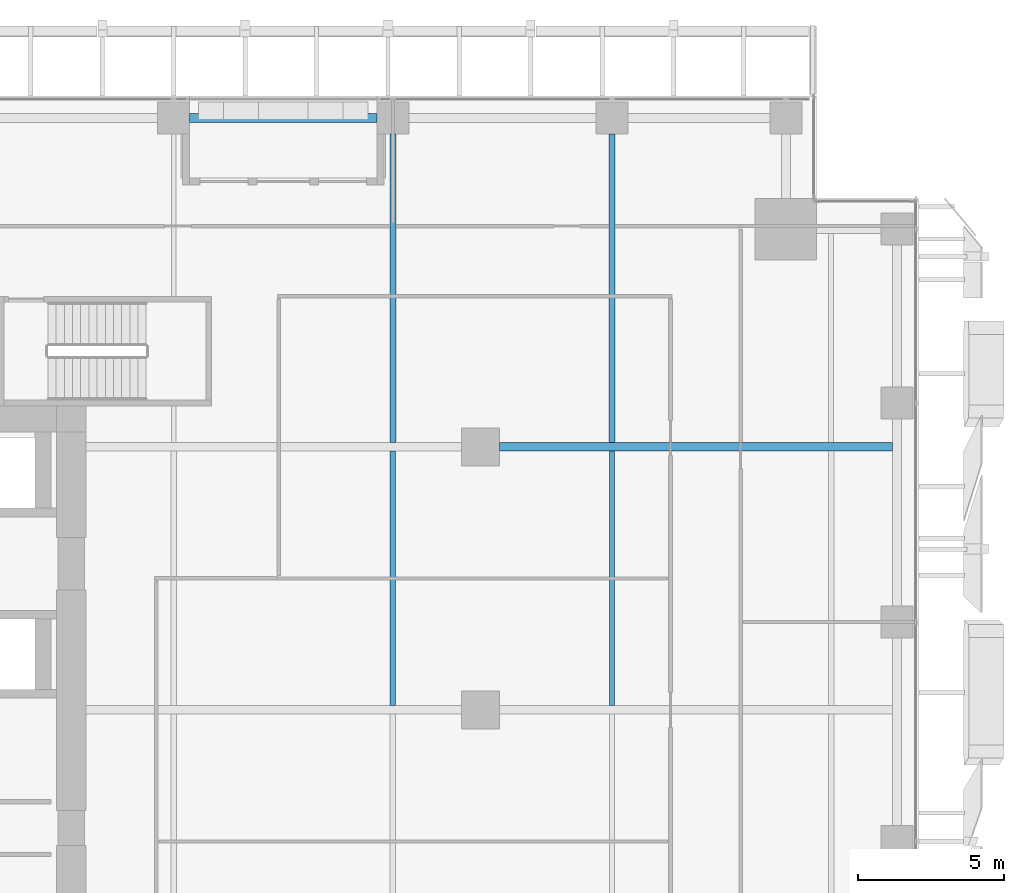
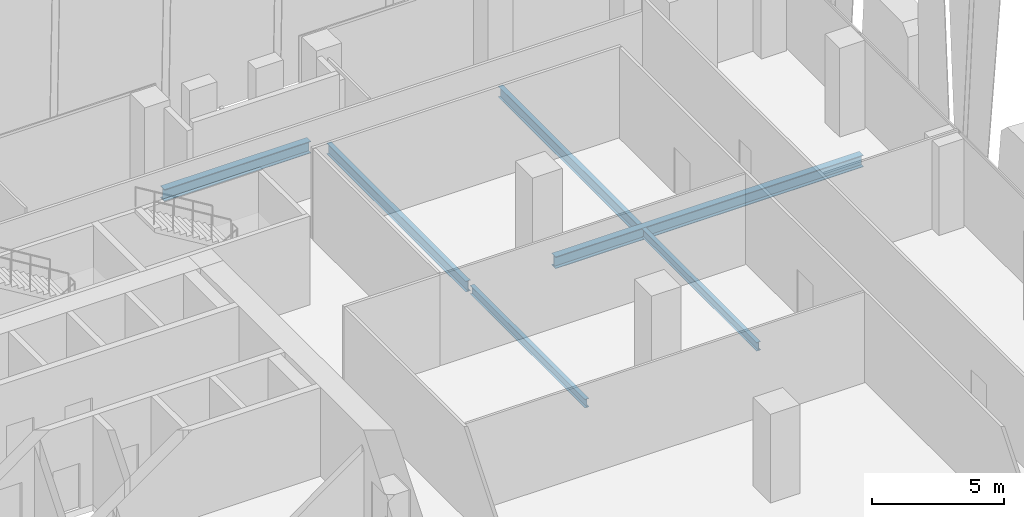
# One storey, part 16 of 34: 6 beams.
"""IFC4 building model written with IfcOpenShell, lengths in metres."""

import ifcopenshell
import ifcopenshell.guid

model = None  # the IFC model being written
_history = None  # IfcOwnerHistory: only IFC2X3 demands one
_inside = {}  # id of a spatial element -> (the spatial element, [elements in it])
_under = {}  # id of a project, library or spatial element -> (it, [spatial elements below it])
_declared = {}  # id of a project -> (the project, [libraries it declares])
_typed = {}  # id of a type object -> (the type object, [elements of that type])
_made_of = {}  # id of a material, layer set ... -> (it, [elements and type objects made of it])


def new_model(schema):
    """Start an empty IFC model of exactly this schema.

    Asked for "IFC4X3", IfcOpenShell would pick the latest addendum, in which some entities
    have other attributes; the version numbers below select the first issue.
    IFC2X3 requires an IfcOwnerHistory on every rooted entity: one is made here for all.
    """
    global model, _history
    if schema == "IFC4X3":
        model = ifcopenshell.file(schema_version=(4, 3, 0, 0))
    else:
        model = ifcopenshell.file(schema=schema)
    _inside.clear()
    _under.clear()
    _declared.clear()
    _typed.clear()
    _made_of.clear()
    _history = None
    if model.schema == "IFC2X3":
        org = make("IfcOrganization", Name="unknown")
        user = make(
            "IfcPersonAndOrganization",
            ThePerson=make("IfcPerson", FamilyName="unknown"),
            TheOrganization=org,
        )
        app = make(
            "IfcApplication",
            ApplicationDeveloper=org,
            Version="unknown",
            ApplicationFullName="unknown",
            ApplicationIdentifier="unknown",
        )
        _history = make(
            "IfcOwnerHistory",
            OwningUser=user,
            OwningApplication=app,
            ChangeAction="ADDED",
            CreationDate=0,
        )
    return model


def make(cls, **values):
    """One entity of the class cls with the attributes given. An attribute that is None is left unset."""
    return model.create_entity(
        cls, **{name: value for name, value in values.items() if value is not None}
    )


def rooted(cls, **values):
    """An entity with a GlobalId (a new one), such as an element, a storey or a relation."""
    return make(cls, GlobalId=ifcopenshell.guid.new(), OwnerHistory=_history, **values)


def si_unit(unit_type, name, prefix=None):
    """IfcSIUnit, for example si_unit("LENGTHUNIT", "METRE", prefix="MILLI")."""
    return make("IfcSIUnit", UnitType=unit_type, Prefix=prefix, Name=name)


def assignment(units):
    """IfcUnitAssignment: the units of a project."""
    return None if units is None else make("IfcUnitAssignment", Units=units)


def point(xyz):
    """IfcCartesianPoint."""
    return None if xyz is None else make("IfcCartesianPoint", Coordinates=xyz)


def direction(xyz):
    """IfcDirection."""
    return None if xyz is None else make("IfcDirection", DirectionRatios=xyz)


def frame(location, z_axis=None, x_axis=None):
    """IfcAxis2Placement3D, a coordinate frame: its origin and axes. An axis left out is left unset."""
    return make(
        "IfcAxis2Placement3D",
        Location=point(location),
        Axis=direction(z_axis),
        RefDirection=direction(x_axis),
    )


def frame_2d(location, x_axis=None):
    """IfcAxis2Placement2D, a coordinate frame in the plane: its origin and x axis."""
    return make(
        "IfcAxis2Placement2D", Location=point(location), RefDirection=direction(x_axis)
    )


def origin():
    """The frame at (0, 0, 0) with its axes left unset."""
    return frame((0.0, 0.0, 0.0))


def origin_2d():
    """The frame at (0, 0) in the plane with its x axis left unset."""
    return frame_2d((0.0, 0.0))


def place(relative_to, where):
    """IfcLocalPlacement: puts the frame where relative to a parent placement (None: the world)."""
    return make(
        "IfcLocalPlacement", PlacementRelTo=relative_to, RelativePlacement=where
    )


def context(
    kind, dimensions, precision=None, world=None, true_north=None, identifier=None
):
    """IfcGeometricRepresentationContext, for example the 3D "Model" context."""
    return make(
        "IfcGeometricRepresentationContext",
        ContextIdentifier=identifier,
        ContextType=kind,
        CoordinateSpaceDimension=dimensions,
        Precision=precision,
        WorldCoordinateSystem=world,
        TrueNorth=true_north,
    )


def subcontext(parent, identifier, kind, view, scale=None):
    """IfcGeometricRepresentationSubContext, for example "Body" below "Model"."""
    return make(
        "IfcGeometricRepresentationSubContext",
        ContextIdentifier=identifier,
        ContextType=kind,
        ParentContext=parent,
        TargetScale=scale,
        TargetView=view,
    )


def project(units=None, contexts=None):
    """IfcProject with its units and contexts."""
    return rooted(
        "IfcProject",
        Name="project",
        RepresentationContexts=contexts,
        UnitsInContext=assignment(units),
    )


def spatial(cls, under=None, at=None, **own):
    """A site, building, storey or space (cls), placed at a placement, below another one or the project."""
    s = rooted(cls, ObjectPlacement=at, **own)
    if under is not None:
        _under.setdefault(under.id(), (under, []))[1].append(s)
    return s


def profile(cls, at=None, kind="AREA", **sizes):
    """A parametric profile (cls). Its sizes go by their IFC names, for example OverallWidth=200.0."""
    return make(cls, ProfileType=kind, Position=at, **sizes)


def i_section(**sizes):
    """IfcIShapeProfileDef."""
    return profile("IfcIShapeProfileDef", **sizes)


def extrude(swept, where, along, depth):
    """IfcExtrudedAreaSolid: the profile swept, set in the frame where, extruded along a direction by depth."""
    return make(
        "IfcExtrudedAreaSolid",
        SweptArea=swept,
        Position=where,
        ExtrudedDirection=direction(along),
        Depth=depth,
    )


def shape(context_of_items, identifier, shape_type, items):
    """IfcShapeRepresentation: the items that make up one representation, for example the "Body"."""
    return make(
        "IfcShapeRepresentation",
        ContextOfItems=context_of_items,
        RepresentationIdentifier=identifier,
        RepresentationType=shape_type,
        Items=items,
    )


def source(mapping_origin, context_of_items, identifier, shape_type, items):
    """IfcRepresentationMap: a shape defined once, which mapped items show again and again."""
    return make(
        "IfcRepresentationMap",
        MappingOrigin=mapping_origin,
        MappedRepresentation=shape(context_of_items, identifier, shape_type, items),
    )


def transform(
    local_origin,
    x_axis=None,
    y_axis=None,
    z_axis=None,
    scale=None,
    scale2=None,
    scale3=None,
    uniform=True,
):
    """IfcCartesianTransformationOperator3D, or its non-uniform kind. x_axis, y_axis, z_axis: its Axis1, 2, 3."""
    if uniform:
        return make(
            "IfcCartesianTransformationOperator3D",
            Axis1=direction(x_axis),
            Axis2=direction(y_axis),
            LocalOrigin=point(local_origin),
            Scale=scale,
            Axis3=direction(z_axis),
        )
    return make(
        "IfcCartesianTransformationOperator3DnonUniform",
        Axis1=direction(x_axis),
        Axis2=direction(y_axis),
        LocalOrigin=point(local_origin),
        Scale=scale,
        Axis3=direction(z_axis),
        Scale2=scale2,
        Scale3=scale3,
    )


def mapped(mapping_source, mapping_target):
    """IfcMappedItem: shows the shape of a source again, moved by a transform."""
    return make(
        "IfcMappedItem", MappingSource=mapping_source, MappingTarget=mapping_target
    )


def material(Name=None, Category=None):
    """IfcMaterial."""
    return make("IfcMaterial", Name=Name, Category=Category)


def material_profile(
    of_material, cross_section, Name=None, Category=None, Priority=None
):
    """IfcMaterialProfile: a cross section and its material."""
    return make(
        "IfcMaterialProfile",
        Name=Name,
        Material=of_material,
        Profile=cross_section,
        Priority=Priority,
        Category=Category,
    )


def profile_set(profiles, Name=None, composite=None):
    """IfcMaterialProfileSet."""
    return make(
        "IfcMaterialProfileSet",
        Name=Name,
        MaterialProfiles=profiles,
        CompositeProfile=composite,
    )


def made_of(thing, what):
    """Note that an element or type object is made of a material, layer set ...; save() writes the relation."""
    if what is not None:
        _made_of.setdefault(what.id(), (what, []))[1].append(thing)
    return thing


def type_object(cls, material=None, **own):
    """A type object (cls), such as IfcWallType, which elements share."""
    return made_of(rooted(cls, **own), material)


def element(
    cls,
    number,
    at=None,
    inside=None,
    cuts=None,
    type_object=None,
    material=None,
    context=None,
    identifier="Body",
    shape_type=None,
    held_by="IfcProductDefinitionShape",
    body=None,
    shapes=None,
    **own,
):
    """One element of the class cls, such as IfcWall. Its Tag is "e" and its number.

    at: its placement. inside: the storey or other place that contains it. cuts: it is an
    opening in that element (IfcRelVoidsElement). A single representation is given by context,
    identifier, shape_type and body (its items); several are given by shapes. held_by: the class
    of the entity that holds the representations. save() writes the other relations.
    """
    e = rooted(cls, Tag="e%d" % number, ObjectPlacement=at, **own)
    if body is not None:
        shapes = [shape(context, identifier, shape_type, body)]
    if shapes is not None:
        e.Representation = make(held_by, Representations=shapes)
    if inside is not None:
        _inside.setdefault(inside.id(), (inside, []))[1].append(e)
    if cuts is not None:
        rooted(
            "IfcRelVoidsElement", RelatingBuildingElement=cuts, RelatedOpeningElement=e
        )
    if type_object is not None:
        _typed.setdefault(type_object.id(), (type_object, []))[1].append(e)
    return made_of(e, material)


def aggregate(whole, parts):
    """IfcRelAggregates: a whole, such as a stair, and the parts it consists of."""
    return rooted("IfcRelAggregates", RelatingObject=whole, RelatedObjects=parts)


def save(model, path):
    """Write the relations noted so far, then the file.

    IfcRelAggregates (storeys below a building ...), IfcRelContainedInSpatialStructure (elements
    in a storey), IfcRelDefinesByType, IfcRelAssociatesMaterial and IfcRelDeclares: one each for
    every whole, place, type object, material and project.
    """
    for whole, parts in _under.values():
        aggregate(whole, parts)
    for where, things in _inside.values():
        rooted(
            "IfcRelContainedInSpatialStructure",
            RelatedElements=things,
            RelatingStructure=where,
        )
    for kind, things in _typed.values():
        rooted("IfcRelDefinesByType", RelatedObjects=things, RelatingType=kind)
    for what, things in _made_of.values():
        rooted("IfcRelAssociatesMaterial", RelatedObjects=things, RelatingMaterial=what)
    for by, libraries in _declared.values():
        rooted("IfcRelDeclares", RelatingContext=by, RelatedDefinitions=libraries)
    model.write(path)


model = new_model("IFC4")

# Units and contexts
model_context = context("Model", 3, precision=1e-05, world=origin(), true_north=direction((0.0, 1.0)))
body_context = subcontext(model_context, "Body", "Model", "MODEL_VIEW")
ifc_project = project(units=[si_unit("LENGTHUNIT", "METRE"), si_unit("AREAUNIT", "SQUARE_METRE"), si_unit("VOLUMEUNIT", "CUBIC_METRE"), si_unit("PLANEANGLEUNIT", "RADIAN"), si_unit("MASSUNIT", "GRAM", prefix="KILO")], contexts=[model_context])

# Site, building, storey
site_placement = place(None, origin())
site = spatial("IfcSite", under=ifc_project, at=site_placement, CompositionType="ELEMENT")
building_placement = place(site_placement, origin())
building = spatial("IfcBuilding", under=site, at=building_placement, Name="Khomas Fold Tower", CompositionType="ELEMENT")
storey_placement = place(building_placement, frame((0.0, 0.0, 114.699951171875)))
storey = spatial("IfcBuildingStorey", under=building, at=storey_placement, Name="L24", CompositionType="ELEMENT", Elevation=114.699951171875)

# Beams
ifc_material_1 = material(Name="Steel S355", Category="steel")
ifc_material_profile_1 = material_profile(ifc_material_1, i_section(OverallWidth=0.179931640625, OverallDepth=0.39990234375, WebThickness=0.008544921875, FlangeThickness=0.013427734375, at=origin_2d()), Name="IPE 400")
ifc_profile_set_1 = profile_set([ifc_material_profile_1], Name="Steel S355")
beam_type_1 = type_object("IfcBeamType", Name="IPE 400 beam JB3", PredefinedType="BEAM", material=ifc_profile_set_1)
shared_shape_1 = source(origin(), body_context, "Body", "SweptSolid", [
    extrude(i_section(OverallWidth=0.179931640625, OverallDepth=0.39990234375, WebThickness=0.008544921875, FlangeThickness=0.013427734375, at=origin_2d()), origin(), (0.0, 0.0, 1.0), 8.7001953125),
])
for number, where, z_axis, x_axis, name in (
    (1, (34.5, 31.64990234375, -0.5), (0.0, 1.0, 0.0), (-1.0, 0.0, 0.0), "JB3"),
    (2, (42.0, 31.64990234375, -0.5), (0.0, 1.0, 0.0), (-1.0, 0.0, 0.0), "JB3"),
):
    element("IfcBeam", number, at=place(storey_placement, frame(where, z_axis=z_axis, x_axis=x_axis)), inside=storey, type_object=beam_type_1, Name=name, PredefinedType="BEAM", context=body_context, shape_type="MappedRepresentation", body=[
        mapped(shared_shape_1, transform((0.0, 0.0, 0.0))),
    ])
ifc_material_2 = material(Name="Steel S355", Category="steel")
ifc_material_profile_2 = material_profile(ifc_material_2, i_section(OverallWidth=0.300048828125, OverallDepth=0.550048828125, WebThickness=0.014892578125, FlangeThickness=0.029052734375, at=origin_2d()), Name="HE 550 B")
ifc_profile_set_2 = profile_set([ifc_material_profile_2], Name="Steel S355")
beam_type_2 = type_object("IfcBeamType", Name="HE 550 B spandrel SB2", PredefinedType="SPANDREL", material=ifc_profile_set_2)
shared_shape_2 = source(origin(), body_context, "Body", "SweptSolid", [
    extrude(i_section(OverallWidth=0.300048828125, OverallDepth=0.550048828125, WebThickness=0.014892578125, FlangeThickness=0.029052734375, at=origin_2d()), origin(), (0.0, 0.0, 1.0), 6.39990234375),
])
beam_1_placement = place(storey_placement, frame((27.550048828125, 51.75, -0.574951171875), z_axis=(1.0, 0.0, 0.0), x_axis=(0.0, 1.0, 0.0)))
element("IfcBeam", 3, at=beam_1_placement, inside=storey, type_object=beam_type_2, Name="SB2", PredefinedType="SPANDREL", context=body_context, shape_type="MappedRepresentation", body=[
    mapped(shared_shape_2, transform((0.0, 0.0, 0.0))),
])
ifc_material_3 = material(Name="Steel S355", Category="steel")
ifc_material_profile_3 = material_profile(ifc_material_3, i_section(OverallWidth=0.300048828125, OverallDepth=0.550048828125, WebThickness=0.014892578125, FlangeThickness=0.029052734375, at=origin_2d()), Name="HE 550 B")
ifc_profile_set_3 = profile_set([ifc_material_profile_3], Name="Steel S355")
beam_type_3 = type_object("IfcBeamType", Name="HE 550 B beam GB4", PredefinedType="BEAM", material=ifc_profile_set_3)
shared_shape_3 = source(origin(), body_context, "Body", "SweptSolid", [
    extrude(i_section(OverallWidth=0.300048828125, OverallDepth=0.550048828125, WebThickness=0.014892578125, FlangeThickness=0.029052734375, at=origin_2d()), origin(), (0.0, 0.0, 1.0), 13.4501953125),
])
beam_2_placement = place(storey_placement, frame((38.14990234375, 40.5, -0.574951171875), z_axis=(1.0, 0.0, 0.0), x_axis=(0.0, 1.0, 0.0)))
element("IfcBeam", 4, at=beam_2_placement, inside=storey, type_object=beam_type_3, Name="GB4", PredefinedType="BEAM", context=body_context, shape_type="MappedRepresentation", body=[
    mapped(shared_shape_3, transform((0.0, 0.0, 0.0))),
])
ifc_material_4 = material(Name="Steel S355", Category="steel")
ifc_material_profile_4 = material_profile(ifc_material_4, i_section(OverallWidth=0.199951171875, OverallDepth=0.5, WebThickness=0.01025390625, FlangeThickness=0.01611328125, at=origin_2d()), Name="IPE 500")
ifc_profile_set_4 = profile_set([ifc_material_profile_4], Name="Steel S355")
beam_type_4 = type_object("IfcBeamType", Name="IPE 500 beam JB5", PredefinedType="BEAM", material=ifc_profile_set_4)
shared_shape_4 = source(origin(), body_context, "Body", "SweptSolid", [
    extrude(i_section(OverallWidth=0.199951171875, OverallDepth=0.5, WebThickness=0.01025390625, FlangeThickness=0.01611328125, at=origin_2d()), origin(), (0.0, 0.0, 1.0), 10.550048828125),
])
for number, where, z_axis, x_axis, name in (
    (5, (34.5, 40.64990234375, -0.550048828125), (0.0, 1.0, 0.0), (-1.0, 0.0, 0.0), "JB5"),
    (6, (42.0, 40.64990234375, -0.550048828125), (0.0, 1.0, 0.0), (-1.0, 0.0, 0.0), "JB5"),
):
    element("IfcBeam", number, at=place(storey_placement, frame(where, z_axis=z_axis, x_axis=x_axis)), inside=storey, type_object=beam_type_4, Name=name, PredefinedType="BEAM", context=body_context, shape_type="MappedRepresentation", body=[
        mapped(shared_shape_4, transform((0.0, 0.0, 0.0))),
    ])

save(model, "model.ifc")
